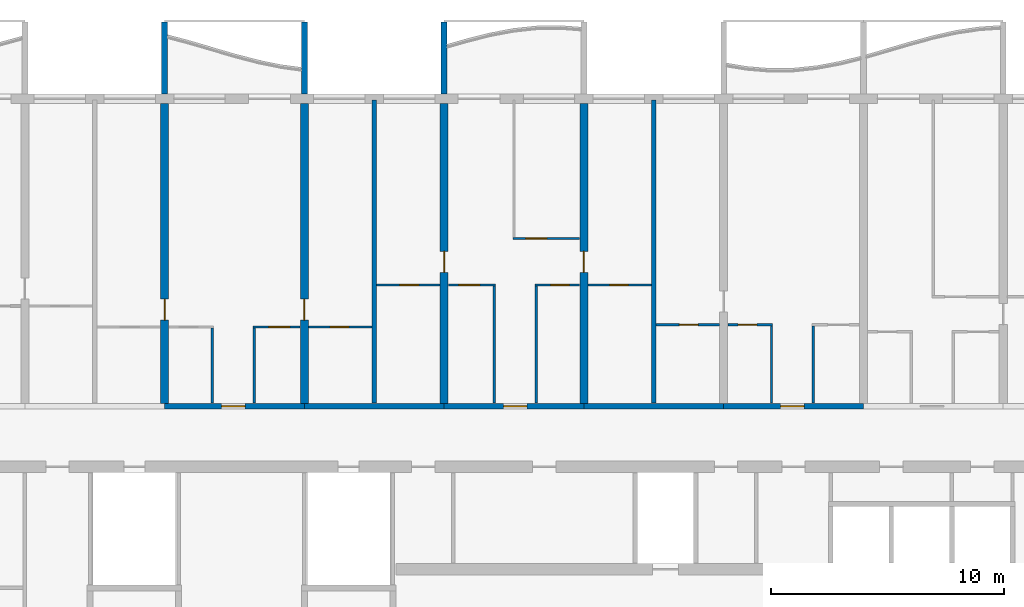
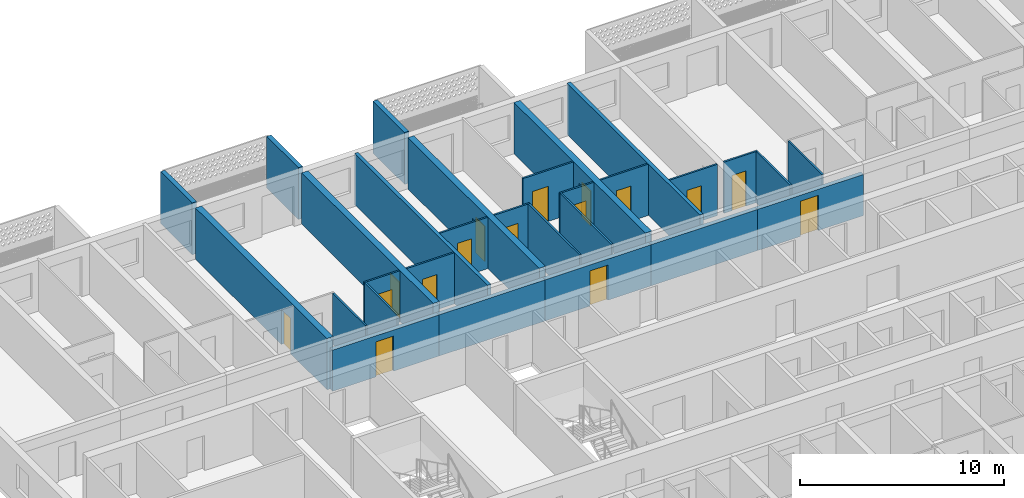
# One storey, part 10 of 27: 29 walls, 16 doors, 16 openings.
"""IFC4 building model written with IfcOpenShell, lengths in metres."""

from ifc_helpers import new_model, si_unit, direction, frame, frame_2d, origin, place, context, subcontext, project, spatial, polyline, rectangle, outline, extrude, source, transform, mapped, material, layer, layer_set, type_object, element, fill, save


model = new_model("IFC4")

# Units and contexts
model_context = context("Model", 3, precision=1e-05, world=origin(), true_north=direction((0.0, 1.0)))
body_context = subcontext(model_context, "Body", "Model", "MODEL_VIEW")
ifc_project = project(units=[si_unit("LENGTHUNIT", "METRE"), si_unit("AREAUNIT", "SQUARE_METRE"), si_unit("VOLUMEUNIT", "CUBIC_METRE"), si_unit("PLANEANGLEUNIT", "RADIAN"), si_unit("MASSUNIT", "GRAM", prefix="KILO")], contexts=[model_context])

# Site, building, storey
site_placement = place(None, origin())
site = spatial("IfcSite", under=ifc_project, at=site_placement, CompositionType="ELEMENT")
building_placement = place(site_placement, origin())
building = spatial("IfcBuilding", under=site, at=building_placement, Name="Poui Terraces", CompositionType="ELEMENT")
storey_placement = place(building_placement, frame((0.0, 0.0, 92.699951171875)))
storey = spatial("IfcBuildingStorey", under=building, at=storey_placement, Name="L25", CompositionType="ELEMENT", Elevation=92.699951171875)

# Wall, opening, door
ifc_material_1 = material(Name="Concrete 65 MPa", Category="concrete")
ifc_layer_1 = layer(ifc_material_1, 0.25)
ifc_layer_set_1 = layer_set([ifc_layer_1], Name="Concrete 65 MPa")
wall_type_1 = type_object("IfcWallType", Name="CORRIDOR WALL 250 65MPa", PredefinedType="SHEAR", material=ifc_layer_set_1)
wall_1_placement = place(storey_placement, frame((24.0, 30.39990234375, 0.0), z_axis=(0.0, 0.0, 1.0), x_axis=(1.0, 0.0, 0.0)))
wall_1 = element("IfcWall", 1, at=wall_1_placement, inside=storey, type_object=wall_type_1, Name="CORRIDOR WALL LINE E BAY 4", PredefinedType="SHEAR", context=body_context, shape_type="SweptSolid", body=[
    extrude(rectangle(XDim=6.0, YDim=0.25, at=frame_2d((3.0, 0.0))), origin(), (0.0, 0.0, 1.0), 2.4599609375),
])
opening_1_placement = place(wall_1_placement, frame((2.449951171875, 0.0, 0.0)))
opening_1 = element("IfcOpeningElement", 2, at=opening_1_placement, cuts=wall_1, Name="Opening FD30S", PredefinedType="OPENING", context=body_context, shape_type="SweptSolid", body=[
    extrude(rectangle(XDim=1.0, YDim=2.10009765625, at=frame_2d((0.5, 1.050048828125))), frame((0.0, 0.135009765625, 0.0), z_axis=(0.0, -1.0, 0.0), x_axis=(1.0, 0.0, 0.0)), (0.0, 0.0, 1.0), 0.27001953125),
])
ifc_material_2 = material(Name="Steel fire door", Category="steel")
door_type_1 = type_object("IfcDoorType", Name="FLAT ENTRANCE DOOR 1000 X 2100", OperationType="NOTDEFINED", PredefinedType="DOOR", material=ifc_material_2)
door_1_placement = place(opening_1_placement, origin())
door_1 = element("IfcDoor", 3, at=door_1_placement, inside=storey, type_object=door_type_1, Name="FLAT ENTRANCE DOOR 042", OperationType="SINGLE_SWING_LEFT", OverallHeight=2.10009765625, OverallWidth=1.0, PredefinedType="DOOR", context=body_context, shape_type="SweptSolid", body=[
    extrude(rectangle(XDim=1.0, YDim=2.10009765625, at=frame_2d((0.5, 1.050048828125))), frame((0.0, 0.02490234375, 0.0), z_axis=(0.0, -1.0, 0.0), x_axis=(1.0, 0.0, 0.0)), (0.0, 0.0, 1.0), 0.050048828125),
])
fill(opening_1, door_1)

# Wall
wall_2_placement = place(storey_placement, frame((30.0, 30.39990234375, 0.0), z_axis=(0.0, 0.0, 1.0), x_axis=(1.0, 0.0, 0.0)))
element("IfcWall", 4, at=wall_2_placement, inside=storey, type_object=wall_type_1, Name="CORRIDOR WALL LINE E BAY 5", PredefinedType="SHEAR", context=body_context, shape_type="SweptSolid", body=[
    extrude(rectangle(XDim=6.0, YDim=0.25, at=frame_2d((3.0, 0.0))), origin(), (0.0, 0.0, 1.0), 2.4599609375),
])

# Wall, opening, door
wall_3_placement = place(storey_placement, frame((36.0, 30.39990234375, 0.0), z_axis=(0.0, 0.0, 1.0), x_axis=(1.0, 0.0, 0.0)))
wall_3 = element("IfcWall", 5, at=wall_3_placement, inside=storey, type_object=wall_type_1, Name="CORRIDOR WALL LINE E BAY 6", PredefinedType="SHEAR", context=body_context, shape_type="SweptSolid", body=[
    extrude(rectangle(XDim=6.0, YDim=0.25, at=frame_2d((3.0, 0.0))), origin(), (0.0, 0.0, 1.0), 2.4599609375),
])
opening_2_placement = place(wall_3_placement, frame((2.550048828125, 0.0, 0.0)))
opening_2 = element("IfcOpeningElement", 6, at=opening_2_placement, cuts=wall_3, Name="Opening FD30S", PredefinedType="OPENING", context=body_context, shape_type="SweptSolid", body=[
    extrude(rectangle(XDim=1.0, YDim=2.10009765625, at=frame_2d((0.5, 1.050048828125))), frame((0.0, 0.135009765625, 0.0), z_axis=(0.0, -1.0, 0.0), x_axis=(1.0, 0.0, 0.0)), (0.0, 0.0, 1.0), 0.27001953125),
])
door_2_placement = place(opening_2_placement, origin())
door_2 = element("IfcDoor", 7, at=door_2_placement, inside=storey, type_object=door_type_1, Name="FLAT ENTRANCE DOOR 049", OperationType="SINGLE_SWING_RIGHT", OverallHeight=2.10009765625, OverallWidth=1.0, PredefinedType="DOOR", context=body_context, shape_type="SweptSolid", body=[
    extrude(rectangle(XDim=1.0, YDim=2.10009765625, at=frame_2d((0.5, 1.050048828125))), frame((0.0, 0.02490234375, 0.0), z_axis=(0.0, -1.0, 0.0), x_axis=(1.0, 0.0, 0.0)), (0.0, 0.0, 1.0), 0.050048828125),
])
fill(opening_2, door_2)

# Wall
wall_4_placement = place(storey_placement, frame((42.0, 30.39990234375, 0.0), z_axis=(0.0, 0.0, 1.0), x_axis=(1.0, 0.0, 0.0)))
element("IfcWall", 8, at=wall_4_placement, inside=storey, type_object=wall_type_1, Name="CORRIDOR WALL LINE E BAY 7", PredefinedType="SHEAR", context=body_context, shape_type="SweptSolid", body=[
    extrude(rectangle(XDim=6.0, YDim=0.25, at=frame_2d((3.0, 0.0))), origin(), (0.0, 0.0, 1.0), 2.4599609375),
])

# Wall, opening, door
wall_5_placement = place(storey_placement, frame((48.0, 30.39990234375, 0.0), z_axis=(0.0, 0.0, 1.0), x_axis=(1.0, 0.0, 0.0)))
wall_5 = element("IfcWall", 9, at=wall_5_placement, inside=storey, type_object=wall_type_1, Name="CORRIDOR WALL LINE E BAY 8", PredefinedType="SHEAR", context=body_context, shape_type="SweptSolid", body=[
    extrude(rectangle(XDim=6.0, YDim=0.25, at=frame_2d((3.0, 0.0))), origin(), (0.0, 0.0, 1.0), 2.4599609375),
])
opening_3_placement = place(wall_5_placement, frame((2.449951171875, 0.0, 0.0)))
opening_3 = element("IfcOpeningElement", 10, at=opening_3_placement, cuts=wall_5, Name="Opening FD30S", PredefinedType="OPENING", context=body_context, shape_type="SweptSolid", body=[
    extrude(rectangle(XDim=1.0, YDim=2.10009765625, at=frame_2d((0.5, 1.050048828125))), frame((0.0, 0.135009765625, 0.0), z_axis=(0.0, -1.0, 0.0), x_axis=(1.0, 0.0, 0.0)), (0.0, 0.0, 1.0), 0.27001953125),
])
door_3_placement = place(opening_3_placement, origin())
door_3 = element("IfcDoor", 11, at=door_3_placement, inside=storey, type_object=door_type_1, Name="FLAT ENTRANCE DOOR 056", OperationType="SINGLE_SWING_LEFT", OverallHeight=2.10009765625, OverallWidth=1.0, PredefinedType="DOOR", context=body_context, shape_type="SweptSolid", body=[
    extrude(rectangle(XDim=1.0, YDim=2.10009765625, at=frame_2d((0.5, 1.050048828125))), frame((0.0, 0.02490234375, 0.0), z_axis=(0.0, -1.0, 0.0), x_axis=(1.0, 0.0, 0.0)), (0.0, 0.0, 1.0), 0.050048828125),
])
fill(opening_3, door_3)

ifc_layer_2 = layer(ifc_material_1, 0.35009765625)
ifc_layer_set_2 = layer_set([ifc_layer_2], Name="Concrete 65 MPa")
wall_type_2 = type_object("IfcWallType", Name="CROSS WALL 350 65MPa", PredefinedType="SHEAR", material=ifc_layer_set_2)
wall_6_placement = place(storey_placement, frame((24.0, 30.52490234375, 0.0), z_axis=(0.0, 0.0, 1.0), x_axis=(0.0, 1.0, 0.0)))
wall_6 = element("IfcWall", 12, at=wall_6_placement, inside=storey, type_object=wall_type_2, Name="CROSS WALL LINE 5 NORTH", PredefinedType="SHEAR", context=body_context, shape_type="SweptSolid", body=[
    extrude(rectangle(XDim=12.875, YDim=0.35009765625, at=frame_2d((6.4375, 0.0))), origin(), (0.0, 0.0, 1.0), 3.06005859375),
])
opening_4_placement = place(wall_6_placement, frame((3.574951171875, 0.0, 0.0)))
opening_4 = element("IfcOpeningElement", 13, at=opening_4_placement, cuts=wall_6, Name="Opening D90", PredefinedType="OPENING", context=body_context, shape_type="SweptSolid", body=[
    extrude(rectangle(XDim=0.89990234375, YDim=2.10009765625, at=frame_2d((0.449951171875, 1.050048828125))), frame((0.0, 0.18505859375, 0.0), z_axis=(0.0, -1.0, 0.0), x_axis=(1.0, 0.0, 0.0)), (0.0, 0.0, 1.0), 0.3701171875),
])
ifc_material_3 = material(Name="Solid core timber door", Category="wood")
door_type_2 = type_object("IfcDoorType", Name="INTERNAL DOOR 900 X 2100", OperationType="NOTDEFINED", PredefinedType="DOOR", material=ifc_material_3)
door_4_placement = place(opening_4_placement, origin())
door_4 = element("IfcDoor", 14, at=door_4_placement, inside=storey, type_object=door_type_2, Name="INTERNAL DOOR 040", OperationType="SINGLE_SWING_LEFT", OverallHeight=2.10009765625, OverallWidth=0.89990234375, PredefinedType="DOOR", context=body_context, shape_type="SweptSolid", body=[
    extrude(rectangle(XDim=0.89990234375, YDim=2.10009765625, at=frame_2d((0.449951171875, 1.050048828125))), frame((0.0, 0.02490234375, 0.0), z_axis=(0.0, -1.0, 0.0), x_axis=(1.0, 0.0, 0.0)), (0.0, 0.0, 1.0), 0.050048828125),
])
fill(opening_4, door_4)

wall_7_placement = place(storey_placement, frame((30.0, 30.52490234375, 0.0), z_axis=(0.0, 0.0, 1.0), x_axis=(0.0, 1.0, 0.0)))
wall_7 = element("IfcWall", 15, at=wall_7_placement, inside=storey, type_object=wall_type_2, Name="CROSS WALL LINE 6 NORTH", PredefinedType="SHEAR", context=body_context, shape_type="SweptSolid", body=[
    extrude(rectangle(XDim=12.875, YDim=0.35009765625, at=frame_2d((6.4375, 0.0))), origin(), (0.0, 0.0, 1.0), 3.06005859375),
])
opening_5_placement = place(wall_7_placement, frame((3.574951171875, 0.0, 0.0)))
opening_5 = element("IfcOpeningElement", 16, at=opening_5_placement, cuts=wall_7, Name="Opening D90", PredefinedType="OPENING", context=body_context, shape_type="SweptSolid", body=[
    extrude(rectangle(XDim=0.89990234375, YDim=2.10009765625, at=frame_2d((0.449951171875, 1.050048828125))), frame((0.0, 0.18505859375, 0.0), z_axis=(0.0, -1.0, 0.0), x_axis=(1.0, 0.0, 0.0)), (0.0, 0.0, 1.0), 0.3701171875),
])
door_5_placement = place(opening_5_placement, frame((0.89990234375, 0.0, 0.0), z_axis=(0.0, 0.0, 1.0), x_axis=(-1.0, 0.0, 0.0)))
door_5 = element("IfcDoor", 17, at=door_5_placement, inside=storey, type_object=door_type_2, Name="INTERNAL DOOR 044", OperationType="SINGLE_SWING_RIGHT", OverallHeight=2.10009765625, OverallWidth=0.89990234375, PredefinedType="DOOR", context=body_context, shape_type="SweptSolid", body=[
    extrude(rectangle(XDim=0.89990234375, YDim=2.10009765625, at=frame_2d((0.449951171875, 1.050048828125))), frame((0.0, 0.02490234375, 0.0), z_axis=(0.0, -1.0, 0.0), x_axis=(1.0, 0.0, 0.0)), (0.0, 0.0, 1.0), 0.050048828125),
])
fill(opening_5, door_5)

wall_8_placement = place(storey_placement, frame((36.0, 30.52490234375, 0.0), z_axis=(0.0, 0.0, 1.0), x_axis=(0.0, 1.0, 0.0)))
wall_8 = element("IfcWall", 18, at=wall_8_placement, inside=storey, type_object=wall_type_2, Name="CROSS WALL LINE 7 NORTH", PredefinedType="SHEAR", context=body_context, shape_type="SweptSolid", body=[
    extrude(rectangle(XDim=12.875, YDim=0.35009765625, at=frame_2d((6.4375, 0.0))), origin(), (0.0, 0.0, 1.0), 3.06005859375),
])
opening_6_placement = place(wall_8_placement, frame((5.625, 0.0, 0.0)))
opening_6 = element("IfcOpeningElement", 19, at=opening_6_placement, cuts=wall_8, Name="Opening D90", PredefinedType="OPENING", context=body_context, shape_type="SweptSolid", body=[
    extrude(rectangle(XDim=0.89990234375, YDim=2.10009765625, at=frame_2d((0.449951171875, 1.050048828125))), frame((0.0, 0.18505859375, 0.0), z_axis=(0.0, -1.0, 0.0), x_axis=(1.0, 0.0, 0.0)), (0.0, 0.0, 1.0), 0.3701171875),
])
door_6_placement = place(opening_6_placement, origin())
door_6 = element("IfcDoor", 20, at=door_6_placement, inside=storey, type_object=door_type_2, Name="INTERNAL DOOR 047", OperationType="SINGLE_SWING_LEFT", OverallHeight=2.10009765625, OverallWidth=0.89990234375, PredefinedType="DOOR", context=body_context, shape_type="SweptSolid", body=[
    extrude(rectangle(XDim=0.89990234375, YDim=2.10009765625, at=frame_2d((0.449951171875, 1.050048828125))), frame((0.0, 0.02490234375, 0.0), z_axis=(0.0, -1.0, 0.0), x_axis=(1.0, 0.0, 0.0)), (0.0, 0.0, 1.0), 0.050048828125),
])
fill(opening_6, door_6)

wall_9_placement = place(storey_placement, frame((42.0, 30.52490234375, 0.0), z_axis=(0.0, 0.0, 1.0), x_axis=(0.0, 1.0, 0.0)))
wall_9 = element("IfcWall", 21, at=wall_9_placement, inside=storey, type_object=wall_type_2, Name="CROSS WALL LINE 8 NORTH", PredefinedType="SHEAR", context=body_context, shape_type="SweptSolid", body=[
    extrude(rectangle(XDim=12.875, YDim=0.35009765625, at=frame_2d((6.4375, 0.0))), origin(), (0.0, 0.0, 1.0), 3.06005859375),
])
opening_7_placement = place(wall_9_placement, frame((5.625, 0.0, 0.0)))
opening_7 = element("IfcOpeningElement", 22, at=opening_7_placement, cuts=wall_9, Name="Opening D90", PredefinedType="OPENING", context=body_context, shape_type="SweptSolid", body=[
    extrude(rectangle(XDim=0.89990234375, YDim=2.10009765625, at=frame_2d((0.449951171875, 1.050048828125))), frame((0.0, 0.18505859375, 0.0), z_axis=(0.0, -1.0, 0.0), x_axis=(1.0, 0.0, 0.0)), (0.0, 0.0, 1.0), 0.3701171875),
])
door_7_placement = place(opening_7_placement, frame((0.89990234375, 0.0, 0.0), z_axis=(0.0, 0.0, 1.0), x_axis=(-1.0, 0.0, 0.0)))
door_7 = element("IfcDoor", 23, at=door_7_placement, inside=storey, type_object=door_type_2, Name="INTERNAL DOOR 052", OperationType="SINGLE_SWING_RIGHT", OverallHeight=2.10009765625, OverallWidth=0.89990234375, PredefinedType="DOOR", context=body_context, shape_type="SweptSolid", body=[
    extrude(rectangle(XDim=0.89990234375, YDim=2.10009765625, at=frame_2d((0.449951171875, 1.050048828125))), frame((0.0, 0.02490234375, 0.0), z_axis=(0.0, -1.0, 0.0), x_axis=(1.0, 0.0, 0.0)), (0.0, 0.0, 1.0), 0.050048828125),
])
fill(opening_7, door_7)

ifc_material_4 = material(Name="Plasterboard partition")
ifc_layer_3 = layer(ifc_material_4, 0.10009765625)
ifc_layer_set_3 = layer_set([ifc_layer_3], Name="Plasterboard partition")
wall_type_3 = type_object("IfcWallType", Name="FLAT PARTITION 100", PredefinedType="PARTITIONING", material=ifc_layer_set_3)
wall_10_placement = place(storey_placement, frame((27.800048828125, 33.800048828125, 0.0), z_axis=(0.0, 0.0, 1.0), x_axis=(1.0, 0.0, 0.0)))
wall_10 = element("IfcWall", 24, at=wall_10_placement, inside=storey, type_object=wall_type_3, Name="FLAT PARTITION 100", PredefinedType="PARTITIONING", context=body_context, shape_type="SweptSolid", body=[
    extrude(rectangle(XDim=2.014892578125, YDim=0.10009765625, at=frame_2d((1.00732421875, 0.0))), origin(), (0.0, 0.0, 1.0), 3.06005859375),
])
opening_8_placement = place(wall_10_placement, frame((0.675048828125, 0.0, 0.0)))
opening_8 = element("IfcOpeningElement", 25, at=opening_8_placement, cuts=wall_10, Name="Opening D90", PredefinedType="OPENING", context=body_context, shape_type="SweptSolid", body=[
    extrude(rectangle(XDim=0.89990234375, YDim=2.10009765625, at=frame_2d((0.449951171875, 1.050048828125))), frame((0.0, 0.06005859375, 0.0), z_axis=(0.0, -1.0, 0.0), x_axis=(1.0, 0.0, 0.0)), (0.0, 0.0, 1.0), 0.1201171875),
])
door_8_placement = place(opening_8_placement, frame((0.89990234375, 0.0, 0.0), z_axis=(0.0, 0.0, 1.0), x_axis=(-1.0, 0.0, 0.0)))
door_8 = element("IfcDoor", 26, at=door_8_placement, inside=storey, type_object=door_type_2, Name="INTERNAL DOOR 043", OperationType="SINGLE_SWING_RIGHT", OverallHeight=2.10009765625, OverallWidth=0.89990234375, PredefinedType="DOOR", context=body_context, shape_type="SweptSolid", body=[
    extrude(rectangle(XDim=0.89990234375, YDim=2.10009765625, at=frame_2d((0.449951171875, 1.050048828125))), frame((0.0, 0.02490234375, 0.0), z_axis=(0.0, -1.0, 0.0), x_axis=(1.0, 0.0, 0.0)), (0.0, 0.0, 1.0), 0.050048828125),
])
fill(opening_8, door_8)

wall_11_placement = place(storey_placement, frame((30.18505859375, 33.800048828125, 0.0), z_axis=(0.0, 0.0, 1.0), x_axis=(1.0, 0.0, 0.0)))
wall_11 = element("IfcWall", 27, at=wall_11_placement, inside=storey, type_object=wall_type_3, Name="FLAT PARTITION 100", PredefinedType="PARTITIONING", context=body_context, shape_type="SweptSolid", body=[
    extrude(rectangle(XDim=2.71484375, YDim=0.10009765625, at=frame_2d((1.357421875, 0.0))), origin(), (0.0, 0.0, 1.0), 3.06005859375),
])
opening_9_placement = place(wall_11_placement, frame((0.9150390625, 0.0, 0.0)))
opening_9 = element("IfcOpeningElement", 28, at=opening_9_placement, cuts=wall_11, Name="Opening D80", PredefinedType="OPENING", context=body_context, shape_type="SweptSolid", body=[
    extrude(rectangle(XDim=0.800048828125, YDim=2.10009765625, at=frame_2d((0.39990234375, 1.050048828125))), frame((0.0, 0.06005859375, 0.0), z_axis=(0.0, -1.0, 0.0), x_axis=(1.0, 0.0, 0.0)), (0.0, 0.0, 1.0), 0.1201171875),
])
door_type_3 = type_object("IfcDoorType", Name="BATHROOM, LAUNDRY AND STORE DOOR 800 X 2100", OperationType="NOTDEFINED", PredefinedType="DOOR", material=ifc_material_3)
door_9_placement = place(opening_9_placement, frame((0.800048828125, 0.0, 0.0), z_axis=(0.0, 0.0, 1.0), x_axis=(-1.0, 0.0, 0.0)))
door_9 = element("IfcDoor", 29, at=door_9_placement, inside=storey, type_object=door_type_3, Name="BATHROOM, LAUNDRY AND STORE DOOR 039", OperationType="SINGLE_SWING_RIGHT", OverallHeight=2.10009765625, OverallWidth=0.800048828125, PredefinedType="DOOR", context=body_context, shape_type="SweptSolid", body=[
    extrude(rectangle(XDim=0.800048828125, YDim=2.10009765625, at=frame_2d((0.39990234375, 1.050048828125))), frame((0.0, 0.02490234375, 0.0), z_axis=(0.0, -1.0, 0.0), x_axis=(1.0, 0.0, 0.0)), (0.0, 0.0, 1.0), 0.050048828125),
])
fill(opening_9, door_9)

wall_12_placement = place(storey_placement, frame((45.10009765625, 33.89990234375, 0.0), z_axis=(0.0, 0.0, 1.0), x_axis=(1.0, 0.0, 0.0)))
wall_12 = element("IfcWall", 30, at=wall_12_placement, inside=storey, type_object=wall_type_3, Name="FLAT PARTITION 100", PredefinedType="PARTITIONING", context=body_context, shape_type="SweptSolid", body=[
    extrude(rectangle(XDim=2.71484375, YDim=0.10009765625, at=frame_2d((1.357421875, 0.0))), origin(), (0.0, 0.0, 1.0), 3.06005859375),
])
opening_10_placement = place(wall_12_placement, frame((1.0, 0.0, 0.0)))
opening_10 = element("IfcOpeningElement", 31, at=opening_10_placement, cuts=wall_12, Name="Opening D80", PredefinedType="OPENING", context=body_context, shape_type="SweptSolid", body=[
    extrude(rectangle(XDim=0.800048828125, YDim=2.10009765625, at=frame_2d((0.39990234375, 1.050048828125))), frame((0.0, 0.06005859375, 0.0), z_axis=(0.0, -1.0, 0.0), x_axis=(1.0, 0.0, 0.0)), (0.0, 0.0, 1.0), 0.1201171875),
])
door_10_placement = place(opening_10_placement, frame((0.800048828125, 0.0, 0.0), z_axis=(0.0, 0.0, 1.0), x_axis=(-1.0, 0.0, 0.0)))
door_10 = element("IfcDoor", 32, at=door_10_placement, inside=storey, type_object=door_type_3, Name="BATHROOM, LAUNDRY AND STORE DOOR 053", OperationType="SINGLE_SWING_RIGHT", OverallHeight=2.10009765625, OverallWidth=0.800048828125, PredefinedType="DOOR", context=body_context, shape_type="SweptSolid", body=[
    extrude(rectangle(XDim=0.800048828125, YDim=2.10009765625, at=frame_2d((0.39990234375, 1.050048828125))), frame((0.0, 0.02490234375, 0.0), z_axis=(0.0, -1.0, 0.0), x_axis=(1.0, 0.0, 0.0)), (0.0, 0.0, 1.0), 0.050048828125),
])
fill(opening_10, door_10)

wall_13_placement = place(storey_placement, frame((48.18505859375, 33.89990234375, 0.0), z_axis=(0.0, 0.0, 1.0), x_axis=(1.0, 0.0, 0.0)))
wall_13 = element("IfcWall", 33, at=wall_13_placement, inside=storey, type_object=wall_type_3, Name="FLAT PARTITION 100", PredefinedType="PARTITIONING", context=body_context, shape_type="SweptSolid", body=[
    extrude(rectangle(XDim=1.9150390625, YDim=0.10009765625, at=frame_2d((0.95751953125, 0.0))), origin(), (0.0, 0.0, 1.0), 3.06005859375),
])
opening_11_placement = place(wall_13_placement, frame((0.43994140625, 0.0, 0.0)))
opening_11 = element("IfcOpeningElement", 34, at=opening_11_placement, cuts=wall_13, Name="Opening D80", PredefinedType="OPENING", context=body_context, shape_type="SweptSolid", body=[
    extrude(rectangle(XDim=0.800048828125, YDim=2.10009765625, at=frame_2d((0.39990234375, 1.050048828125))), frame((0.0, 0.06005859375, 0.0), z_axis=(0.0, -1.0, 0.0), x_axis=(1.0, 0.0, 0.0)), (0.0, 0.0, 1.0), 0.1201171875),
])
door_11_placement = place(opening_11_placement, frame((0.800048828125, 0.0, 0.0), z_axis=(0.0, 0.0, 1.0), x_axis=(-1.0, 0.0, 0.0)))
door_11 = element("IfcDoor", 35, at=door_11_placement, inside=storey, type_object=door_type_3, Name="BATHROOM, LAUNDRY AND STORE DOOR 055", OperationType="SINGLE_SWING_LEFT", OverallHeight=2.10009765625, OverallWidth=0.800048828125, PredefinedType="DOOR", context=body_context, shape_type="SweptSolid", body=[
    extrude(rectangle(XDim=0.800048828125, YDim=2.10009765625, at=frame_2d((0.39990234375, 1.050048828125))), frame((0.0, 0.02490234375, 0.0), z_axis=(0.0, -1.0, 0.0), x_axis=(1.0, 0.0, 0.0)), (0.0, 0.0, 1.0), 0.050048828125),
])
fill(opening_11, door_11)

wall_14_placement = place(storey_placement, frame((33.10009765625, 35.60009765625, 0.0), z_axis=(0.0, 0.0, 1.0), x_axis=(1.0, 0.0, 0.0)))
wall_14 = element("IfcWall", 36, at=wall_14_placement, inside=storey, type_object=wall_type_3, Name="FLAT PARTITION 100", PredefinedType="PARTITIONING", context=body_context, shape_type="SweptSolid", body=[
    extrude(rectangle(XDim=2.71484375, YDim=0.10009765625, at=frame_2d((1.357421875, 0.0))), origin(), (0.0, 0.0, 1.0), 3.06005859375),
])
opening_12_placement = place(wall_14_placement, frame((1.0, 0.0, 0.0)))
opening_12 = element("IfcOpeningElement", 37, at=opening_12_placement, cuts=wall_14, Name="Opening D80", PredefinedType="OPENING", context=body_context, shape_type="SweptSolid", body=[
    extrude(rectangle(XDim=0.800048828125, YDim=2.10009765625, at=frame_2d((0.39990234375, 1.050048828125))), frame((0.0, 0.06005859375, 0.0), z_axis=(0.0, -1.0, 0.0), x_axis=(1.0, 0.0, 0.0)), (0.0, 0.0, 1.0), 0.1201171875),
])
door_12_placement = place(opening_12_placement, frame((0.800048828125, 0.0, 0.0), z_axis=(0.0, 0.0, 1.0), x_axis=(-1.0, 0.0, 0.0)))
door_12 = element("IfcDoor", 38, at=door_12_placement, inside=storey, type_object=door_type_3, Name="BATHROOM, LAUNDRY AND STORE DOOR 045", OperationType="SINGLE_SWING_LEFT", OverallHeight=2.10009765625, OverallWidth=0.800048828125, PredefinedType="DOOR", context=body_context, shape_type="SweptSolid", body=[
    extrude(rectangle(XDim=0.800048828125, YDim=2.10009765625, at=frame_2d((0.39990234375, 1.050048828125))), frame((0.0, 0.02490234375, 0.0), z_axis=(0.0, -1.0, 0.0), x_axis=(1.0, 0.0, 0.0)), (0.0, 0.0, 1.0), 0.050048828125),
])
fill(opening_12, door_12)

wall_15_placement = place(storey_placement, frame((36.18505859375, 35.60009765625, 0.0), z_axis=(0.0, 0.0, 1.0), x_axis=(1.0, 0.0, 0.0)))
wall_15 = element("IfcWall", 39, at=wall_15_placement, inside=storey, type_object=wall_type_3, Name="FLAT PARTITION 100", PredefinedType="PARTITIONING", context=body_context, shape_type="SweptSolid", body=[
    extrude(rectangle(XDim=2.014892578125, YDim=0.10009765625, at=frame_2d((1.00732421875, 0.0))), origin(), (0.0, 0.0, 1.0), 3.06005859375),
])
opening_13_placement = place(wall_15_placement, frame((0.43994140625, 0.0, 0.0)))
opening_13 = element("IfcOpeningElement", 40, at=opening_13_placement, cuts=wall_15, Name="Opening D90", PredefinedType="OPENING", context=body_context, shape_type="SweptSolid", body=[
    extrude(rectangle(XDim=0.89990234375, YDim=2.10009765625, at=frame_2d((0.449951171875, 1.050048828125))), frame((0.0, 0.06005859375, 0.0), z_axis=(0.0, -1.0, 0.0), x_axis=(1.0, 0.0, 0.0)), (0.0, 0.0, 1.0), 0.1201171875),
])
door_13_placement = place(opening_13_placement, frame((0.89990234375, 0.0, 0.0), z_axis=(0.0, 0.0, 1.0), x_axis=(-1.0, 0.0, 0.0)))
door_13 = element("IfcDoor", 41, at=door_13_placement, inside=storey, type_object=door_type_2, Name="INTERNAL DOOR 048", OperationType="SINGLE_SWING_LEFT", OverallHeight=2.10009765625, OverallWidth=0.89990234375, PredefinedType="DOOR", context=body_context, shape_type="SweptSolid", body=[
    extrude(rectangle(XDim=0.89990234375, YDim=2.10009765625, at=frame_2d((0.449951171875, 1.050048828125))), frame((0.0, 0.02490234375, 0.0), z_axis=(0.0, -1.0, 0.0), x_axis=(1.0, 0.0, 0.0)), (0.0, 0.0, 1.0), 0.050048828125),
])
fill(opening_13, door_13)

wall_16_placement = place(storey_placement, frame((39.89990234375, 35.60009765625, 0.0), z_axis=(0.0, 0.0, 1.0), x_axis=(1.0, 0.0, 0.0)))
wall_16 = element("IfcWall", 42, at=wall_16_placement, inside=storey, type_object=wall_type_3, Name="FLAT PARTITION 100", PredefinedType="PARTITIONING", context=body_context, shape_type="SweptSolid", body=[
    extrude(rectangle(XDim=1.9150390625, YDim=0.10009765625, at=frame_2d((0.95751953125, 0.0))), origin(), (0.0, 0.0, 1.0), 3.06005859375),
])
opening_14_placement = place(wall_16_placement, frame((0.675048828125, 0.0, 0.0)))
opening_14 = element("IfcOpeningElement", 43, at=opening_14_placement, cuts=wall_16, Name="Opening D80", PredefinedType="OPENING", context=body_context, shape_type="SweptSolid", body=[
    extrude(rectangle(XDim=0.800048828125, YDim=2.10009765625, at=frame_2d((0.39990234375, 1.050048828125))), frame((0.0, 0.06005859375, 0.0), z_axis=(0.0, -1.0, 0.0), x_axis=(1.0, 0.0, 0.0)), (0.0, 0.0, 1.0), 0.1201171875),
])
door_14_placement = place(opening_14_placement, frame((0.800048828125, 0.0, 0.0), z_axis=(0.0, 0.0, 1.0), x_axis=(-1.0, 0.0, 0.0)))
door_14 = element("IfcDoor", 44, at=door_14_placement, inside=storey, type_object=door_type_3, Name="BATHROOM, LAUNDRY AND STORE DOOR 051", OperationType="SINGLE_SWING_RIGHT", OverallHeight=2.10009765625, OverallWidth=0.800048828125, PredefinedType="DOOR", context=body_context, shape_type="SweptSolid", body=[
    extrude(rectangle(XDim=0.800048828125, YDim=2.10009765625, at=frame_2d((0.39990234375, 1.050048828125))), frame((0.0, 0.02490234375, 0.0), z_axis=(0.0, -1.0, 0.0), x_axis=(1.0, 0.0, 0.0)), (0.0, 0.0, 1.0), 0.050048828125),
])
fill(opening_14, door_14)

wall_17_placement = place(storey_placement, frame((42.18505859375, 35.60009765625, 0.0), z_axis=(0.0, 0.0, 1.0), x_axis=(1.0, 0.0, 0.0)))
wall_17 = element("IfcWall", 45, at=wall_17_placement, inside=storey, type_object=wall_type_3, Name="FLAT PARTITION 100", PredefinedType="PARTITIONING", context=body_context, shape_type="SweptSolid", body=[
    extrude(rectangle(XDim=2.71484375, YDim=0.10009765625, at=frame_2d((1.357421875, 0.0))), origin(), (0.0, 0.0, 1.0), 3.06005859375),
])
opening_15_placement = place(wall_17_placement, frame((0.9150390625, 0.0, 0.0)))
opening_15 = element("IfcOpeningElement", 46, at=opening_15_placement, cuts=wall_17, Name="Opening D80", PredefinedType="OPENING", context=body_context, shape_type="SweptSolid", body=[
    extrude(rectangle(XDim=0.800048828125, YDim=2.10009765625, at=frame_2d((0.39990234375, 1.050048828125))), frame((0.0, 0.06005859375, 0.0), z_axis=(0.0, -1.0, 0.0), x_axis=(1.0, 0.0, 0.0)), (0.0, 0.0, 1.0), 0.1201171875),
])
door_15_placement = place(opening_15_placement, frame((0.800048828125, 0.0, 0.0), z_axis=(0.0, 0.0, 1.0), x_axis=(-1.0, 0.0, 0.0)))
door_15 = element("IfcDoor", 47, at=door_15_placement, inside=storey, type_object=door_type_3, Name="BATHROOM, LAUNDRY AND STORE DOOR 046", OperationType="SINGLE_SWING_LEFT", OverallHeight=2.10009765625, OverallWidth=0.800048828125, PredefinedType="DOOR", context=body_context, shape_type="SweptSolid", body=[
    extrude(rectangle(XDim=0.800048828125, YDim=2.10009765625, at=frame_2d((0.39990234375, 1.050048828125))), frame((0.0, 0.02490234375, 0.0), z_axis=(0.0, -1.0, 0.0), x_axis=(1.0, 0.0, 0.0)), (0.0, 0.0, 1.0), 0.050048828125),
])
fill(opening_15, door_15)

wall_18_placement = place(storey_placement, frame((38.949951171875, 37.60009765625, 0.0), z_axis=(0.0, 0.0, 1.0), x_axis=(1.0, 0.0, 0.0)))
wall_18 = element("IfcWall", 48, at=wall_18_placement, inside=storey, type_object=wall_type_3, Name="FLAT PARTITION 100", PredefinedType="PARTITIONING", context=body_context, shape_type="SweptSolid", body=[
    extrude(rectangle(XDim=2.864990234375, YDim=0.10009765625, at=frame_2d((1.4326171875, 0.0))), origin(), (0.0, 0.0, 1.0), 3.06005859375),
])
opening_16_placement = place(wall_18_placement, frame((0.550048828125, 0.0, 0.0)))
opening_16 = element("IfcOpeningElement", 49, at=opening_16_placement, cuts=wall_18, Name="Opening D90", PredefinedType="OPENING", context=body_context, shape_type="SweptSolid", body=[
    extrude(rectangle(XDim=0.89990234375, YDim=2.10009765625, at=frame_2d((0.449951171875, 1.050048828125))), frame((0.0, 0.06005859375, 0.0), z_axis=(0.0, -1.0, 0.0), x_axis=(1.0, 0.0, 0.0)), (0.0, 0.0, 1.0), 0.1201171875),
])
door_16_placement = place(opening_16_placement, origin())
door_16 = element("IfcDoor", 50, at=door_16_placement, inside=storey, type_object=door_type_2, Name="INTERNAL DOOR 050", OperationType="SINGLE_SWING_LEFT", OverallHeight=2.10009765625, OverallWidth=0.89990234375, PredefinedType="DOOR", context=body_context, shape_type="SweptSolid", body=[
    extrude(rectangle(XDim=0.89990234375, YDim=2.10009765625, at=frame_2d((0.449951171875, 1.050048828125))), frame((0.0, 0.02490234375, 0.0), z_axis=(0.0, -1.0, 0.0), x_axis=(1.0, 0.0, 0.0)), (0.0, 0.0, 1.0), 0.050048828125),
])
fill(opening_16, door_16)

# Walls
for number, where, z_axis, x_axis, name in (
    (51, (26.050048828125, 30.534912109375, 0.0), (0.0, 0.0, 1.0), (0.0, 1.0, 0.0), "FLAT PARTITION 100"),
    (52, (27.85009765625, 30.534912109375, 0.0), (0.0, 0.0, 1.0), (0.0, 1.0, 0.0), "FLAT PARTITION 100"),
):
    element("IfcWall", number, at=place(storey_placement, frame(where, z_axis=z_axis, x_axis=x_axis)), inside=storey, type_object=wall_type_3, Name=name, PredefinedType="PARTITIONING", context=body_context, shape_type="SweptSolid", body=[
        extrude(rectangle(XDim=3.215087890625, YDim=0.10009765625, at=frame_2d((1.607421875, 0.0))), origin(), (0.0, 0.0, 1.0), 3.06005859375),
    ])
for number, where, z_axis, x_axis, name in (
    (53, (38.14990234375, 30.534912109375, 0.0), (0.0, 0.0, 1.0), (0.0, 1.0, 0.0), "FLAT PARTITION 100"),
    (54, (39.949951171875, 30.534912109375, 0.0), (0.0, 0.0, 1.0), (0.0, 1.0, 0.0), "FLAT PARTITION 100"),
):
    element("IfcWall", number, at=place(storey_placement, frame(where, z_axis=z_axis, x_axis=x_axis)), inside=storey, type_object=wall_type_3, Name=name, PredefinedType="PARTITIONING", context=body_context, shape_type="SweptSolid", body=[
        extrude(rectangle(XDim=5.01513671875, YDim=0.10009765625, at=frame_2d((2.507568359375, 0.0))), origin(), (0.0, 0.0, 1.0), 3.06005859375),
    ])
for number, where, z_axis, x_axis, name in (
    (55, (50.050048828125, 30.534912109375, 0.0), (0.0, 0.0, 1.0), (0.0, 1.0, 0.0), "FLAT PARTITION 100"),
    (56, (51.85009765625, 30.534912109375, 0.0), (0.0, 0.0, 1.0), (0.0, 1.0, 0.0), "FLAT PARTITION 100"),
):
    element("IfcWall", number, at=place(storey_placement, frame(where, z_axis=z_axis, x_axis=x_axis)), inside=storey, type_object=wall_type_3, Name=name, PredefinedType="PARTITIONING", context=body_context, shape_type="SweptSolid", body=[
        extrude(rectangle(XDim=3.315185546875, YDim=0.10009765625, at=frame_2d((1.65771484375, 0.0))), origin(), (0.0, 0.0, 1.0), 3.06005859375),
    ])
ifc_material_5 = material(Name="Fire-rated masonry wall", Category="masonry")
ifc_layer_4 = layer(ifc_material_5, 0.199951171875)
ifc_layer_set_4 = layer_set([ifc_layer_4], Name="Fire-rated masonry wall")
wall_type_4 = type_object("IfcWallType", Name="FLAT PARTY WALL 200", PredefinedType="PARTITIONING", material=ifc_layer_set_4)
for number, where, z_axis, x_axis, name in (
    (57, (33.0, 30.534912109375, 0.0), (0.0, 0.0, 1.0), (0.0, 1.0, 0.0), "FLAT PARTY WALL 200"),
    (58, (45.0, 30.534912109375, 0.0), (0.0, 0.0, 1.0), (0.0, 1.0, 0.0), "FLAT PARTY WALL 200"),
):
    element("IfcWall", number, at=place(storey_placement, frame(where, z_axis=z_axis, x_axis=x_axis)), inside=storey, type_object=wall_type_4, Name=name, PredefinedType="PARTITIONING", context=body_context, shape_type="SweptSolid", body=[
        extrude(rectangle(XDim=13.005126953125, YDim=0.199951171875, at=frame_2d((6.50244140625, 0.0))), origin(), (0.0, 0.0, 1.0), 3.06005859375),
    ])
ifc_material_6 = material(Name="Precast concrete 40 MPa", Category="concrete")
ifc_layer_5 = layer(ifc_material_6, 0.25)
ifc_layer_set_5 = layer_set([ifc_layer_5], Name="Precast concrete 40 MPa")
wall_type_5 = type_object("IfcWallType", Name="BALCONY FIN 250", PredefinedType="STANDARD", material=ifc_layer_set_5)
shared_shape = source(origin(), body_context, "Body", "SweptSolid", [
    extrude(outline(polyline([(0.0, 0.0), (0.25, 0.0), (0.25, 3.099853515625), (0.0, 3.099853515625), (0.0, 0.0)])), origin(), (0.0, 0.0, 1.0), 3.10009765625),
])
for number, where, name in (
    (59, (23.875, 43.800048828125, 0.0), "BALCONY FIN"),
    (60, (29.875, 43.800048828125, 0.0), "BALCONY FIN"),
    (61, (35.875, 43.800048828125, 0.0), "BALCONY FIN"),
):
    element("IfcWall", number, at=place(storey_placement, frame(where)), inside=storey, type_object=wall_type_5, Name=name, PredefinedType="STANDARD", context=body_context, shape_type="MappedRepresentation", body=[
        mapped(shared_shape, transform((0.0, 0.0, 0.0))),
    ])

save(model, "model.ifc")
